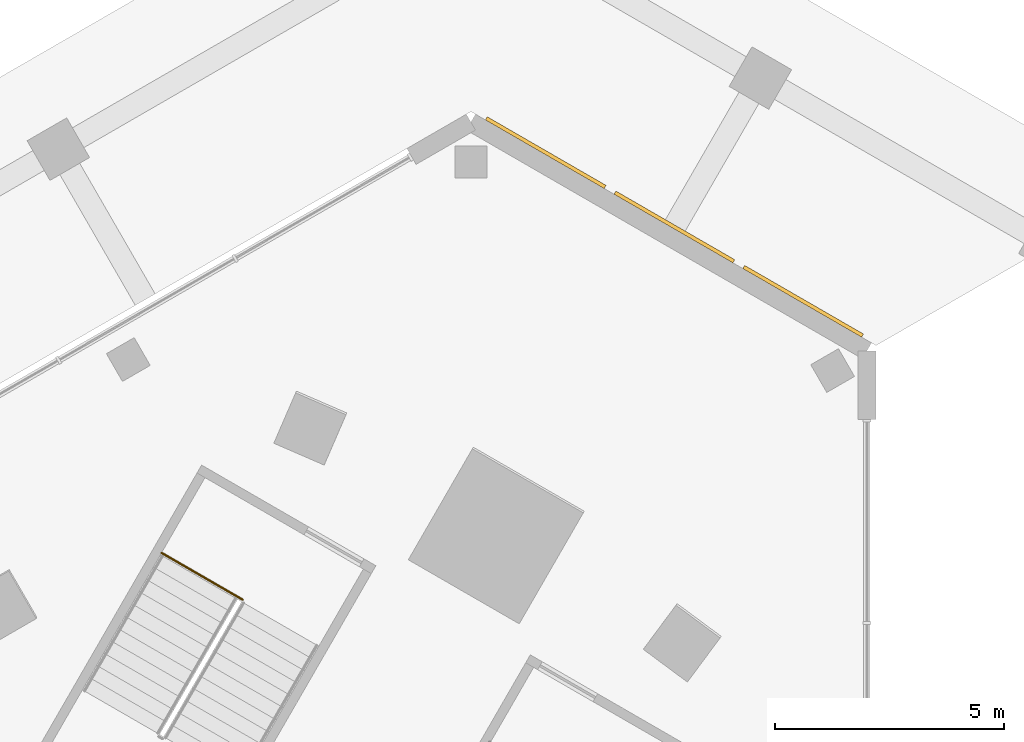
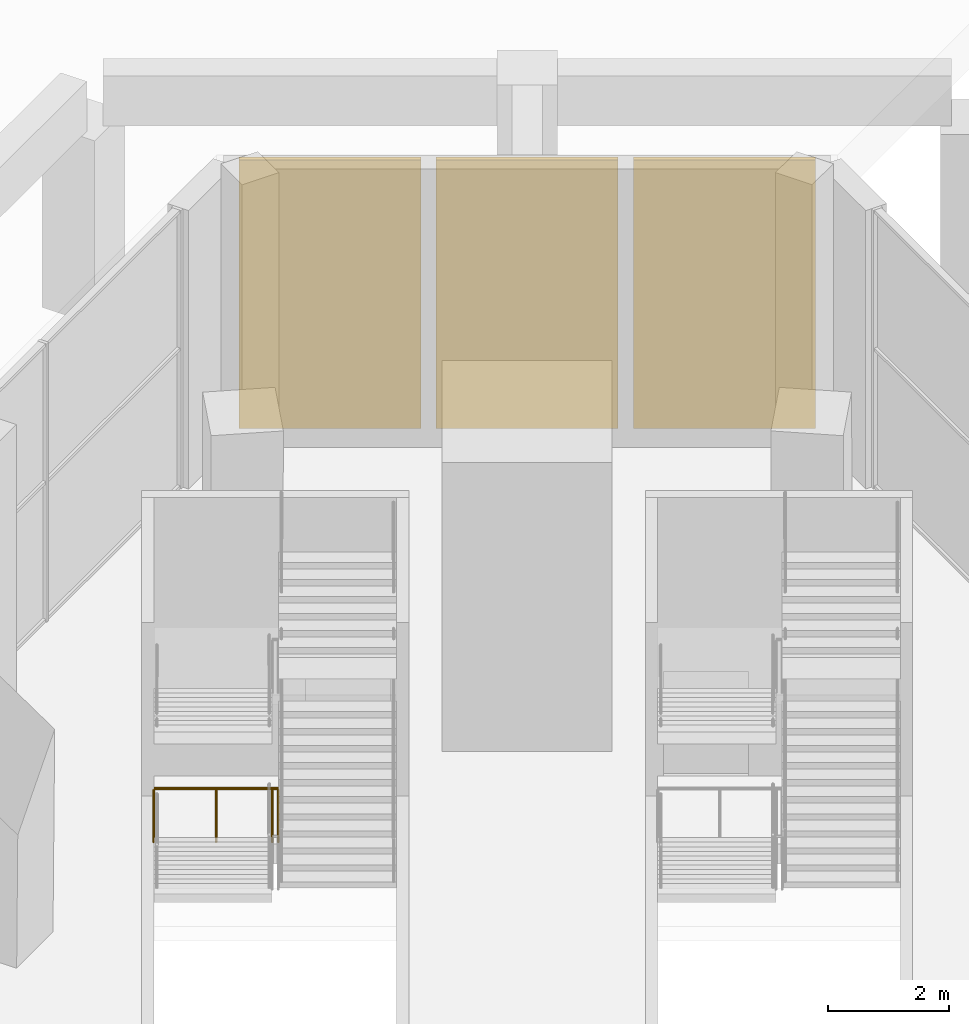
# One storey, part 44 of 51: 3 coverings, 2 railings.
"""IFC4 building model written with IfcOpenShell, lengths in metres."""

from ifc_helpers import new_model, si_unit, direction, frame, origin, origin_2d, place, context, subcontext, project, spatial, rectangle, circle, extrude, material, layer, layer_set, type_object, element, save


model = new_model("IFC4")

# Units and contexts
model_context = context("Model", 3, precision=1e-05, world=origin(), true_north=direction((0.0, 1.0)))
body_context = subcontext(model_context, "Body", "Model", "MODEL_VIEW")
ifc_project = project(units=[si_unit("LENGTHUNIT", "METRE"), si_unit("AREAUNIT", "SQUARE_METRE"), si_unit("VOLUMEUNIT", "CUBIC_METRE"), si_unit("PLANEANGLEUNIT", "RADIAN"), si_unit("MASSUNIT", "GRAM", prefix="KILO")], contexts=[model_context])

# Site, building, storey
site_placement = place(None, origin())
site = spatial("IfcSite", under=ifc_project, at=site_placement, CompositionType="ELEMENT")
building_placement = place(site_placement, origin())
building = spatial("IfcBuilding", under=site, at=building_placement, Name="Jabali Bay Hotel Tower and Convention Centre", CompositionType="ELEMENT")
storey_placement = place(building_placement, frame((0.0, 0.0, 9.0)))
storey = spatial("IfcBuildingStorey", under=building, at=storey_placement, Name="L01", CompositionType="ELEMENT", Elevation=9.0)

# Coverings
ifc_material_1 = material(Name="Precast concrete C40/50", Category="concrete")
ifc_layer = layer(ifc_material_1, 0.080078125)
ifc_layer_set = layer_set([ifc_layer], Name="Precast concrete C40/50")
covering_type = type_object("IfcCoveringType", Name="Relief panel 3000 x 5400", PredefinedType="CLADDING", material=ifc_layer_set)
for number, where, z_axis, x_axis, name in (
    (1, (96.475341796875, 123.6962890625, 0.10009765625), (0.0, 0.0, 1.0), (0.866025402842, -0.500000001632, 0.0), "Relief panel L01"),
    (2, (99.289794921875, 122.0712890625, 0.10009765625), (0.0, 0.0, 1.0), (0.866025402842, -0.500000001632, 0.0), "Relief panel L01"),
    (3, (102.1044921875, 120.4462890625, 0.10009765625), (0.0, 0.0, 1.0), (0.866025402842, -0.500000001632, 0.0), "Relief panel L01"),
):
    element("IfcCovering", number, at=place(storey_placement, frame(where, z_axis=z_axis, x_axis=x_axis)), inside=storey, type_object=covering_type, Name=name, PredefinedType="CLADDING", context=body_context, shape_type="SweptSolid", body=[
        extrude(rectangle(XDim=3.0, YDim=0.080078125, at=origin_2d()), origin(), (0.0, 0.0, 1.0), 5.39990234375),
    ])

# Railings
ifc_material_2 = material(Name="Steel Q355B", Category="steel")
railing_type = type_object("IfcRailingType", Name="Stair guard 1100", PredefinedType="GUARDRAIL", material=ifc_material_2)
railing_1_placement = place(storey_placement, frame((88.073974609375, 114.94482421875, 0.0)))
element("IfcRailing", 4, at=railing_1_placement, inside=storey, type_object=railing_type, Name="L01 PS3 top well guard 1", PredefinedType="GUARDRAIL", context=body_context, shape_type="SweptSolid", body=[
    extrude(circle(Radius=0.02392578125, at=origin_2d()), frame((0.0, 0.0, 1.076171875), z_axis=(0.865999163574, -0.500045446624, 0.0), x_axis=(0.500045446624, 0.865999163574, 0.0)), (0.0, 0.0, 1.0), 2.050048828125),
    extrude(circle(Radius=0.02099609375, at=origin_2d()), origin(), (0.0, 0.0, 1.0), 1.052001953125),
    extrude(circle(Radius=0.02099609375, at=origin_2d()), frame((0.8876953125, -0.5126953125, 0.0)), (0.0, 0.0, 1.0), 1.052001953125),
    extrude(circle(Radius=0.02099609375, at=origin_2d()), frame((1.775390625, -1.025146484375, 0.0)), (0.0, 0.0, 1.0), 1.052001953125),
])
railing_2_placement = place(storey_placement, frame((89.7626953125, 113.9697265625, 0.0)))
element("IfcRailing", 5, at=railing_2_placement, inside=storey, type_object=railing_type, Name="L01 PS3 stair guard 8", PredefinedType="GUARDRAIL", context=body_context, shape_type="SweptSolid", body=[
    extrude(circle(Radius=0.02392578125, at=origin_2d()), frame((0.0, 0.0, 1.076171875), z_axis=(0.865982457891, -0.500074377092, 0.0), x_axis=(0.500074377092, 0.865982457891, 0.0)), (0.0, 0.0, 1.0), 0.10009765625),
    extrude(circle(Radius=0.02099609375, at=origin_2d()), origin(), (0.0, 0.0, 1.0), 1.052001953125),
    extrude(circle(Radius=0.02099609375, at=origin_2d()), frame((0.086669921875, -0.050048828125, 0.0)), (0.0, 0.0, 1.0), 1.052001953125),
])

save(model, "model.ifc")
